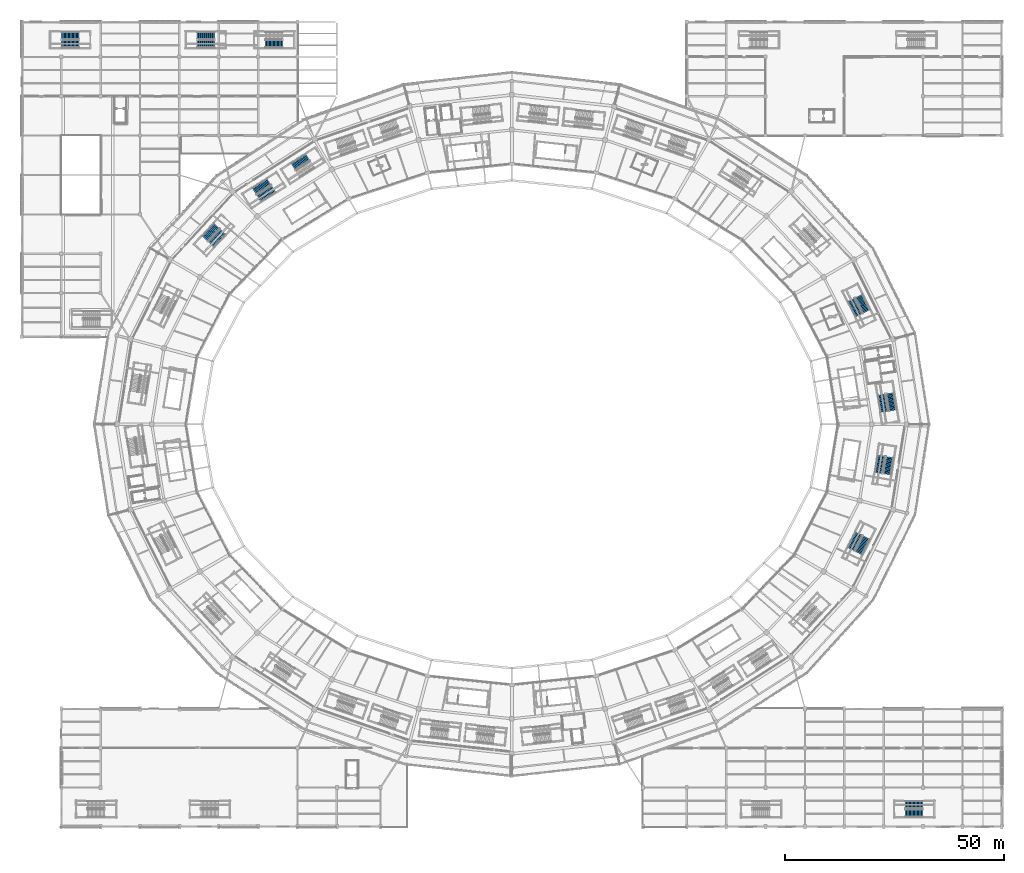
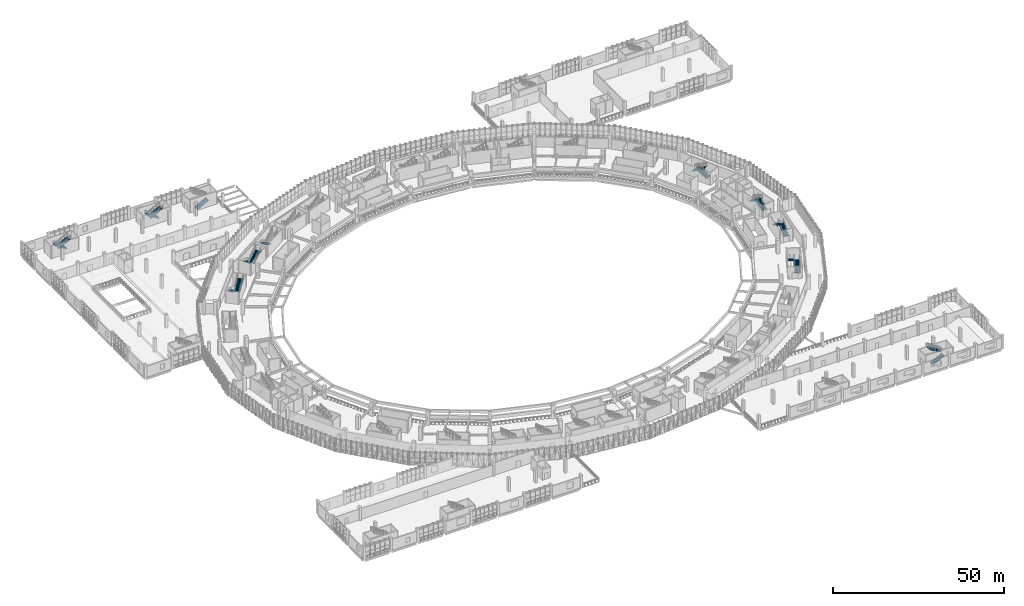
# One storey, part 116 of 179: 20 stair flights, 11 elements without a shape of their own.
"""IFC4 building model written with IfcOpenShell, lengths in metres."""

from ifc_helpers import new_model, si_unit, direction, frame, origin, place, context, subcontext, project, spatial, polyline, outline, extrude, material, type_object, element, aggregate, save


model = new_model("IFC4")

# Units and contexts
model_context = context("Model", 3, precision=1e-05, world=origin(), true_north=direction((0.0, 1.0)))
body_context = subcontext(model_context, "Body", "Model", "MODEL_VIEW")
ifc_project = project(units=[si_unit("LENGTHUNIT", "METRE"), si_unit("AREAUNIT", "SQUARE_METRE"), si_unit("VOLUMEUNIT", "CUBIC_METRE"), si_unit("PLANEANGLEUNIT", "RADIAN"), si_unit("MASSUNIT", "GRAM", prefix="KILO")], contexts=[model_context])

# Site, building, storey
site_placement = place(None, origin())
site = spatial("IfcSite", under=ifc_project, at=site_placement, CompositionType="ELEMENT")
building_placement = place(site_placement, origin())
building = spatial("IfcBuilding", under=site, at=building_placement, Name="Zevraka Park Crest Stadium", CompositionType="ELEMENT")
storey_placement = place(building_placement, frame((0.0, 0.0, 10.199951171875)))
storey = spatial("IfcBuildingStorey", under=building, at=storey_placement, Name="L02", CompositionType="ELEMENT", Elevation=10.199951171875)

# Stair, stair flights
ifc_material_1 = material(Name="Concrete C35/45", Category="concrete")
stair_type_1 = type_object("IfcStairType", Name="STA2", PredefinedType="HALF_TURN_STAIR", material=ifc_material_1)
stair_1_placement = place(storey_placement, origin())
stair_1 = element("IfcStair", 1, at=stair_1_placement, inside=storey, type_object=stair_type_1, Name="L02 Protected Concourse Exit Stair ST01", PredefinedType="HALF_TURN_STAIR")
ifc_material_2 = material(Name="Concrete C35/45", Category="concrete")
stair_flight_type_1 = type_object("IfcStairFlightType", Name="FLA2", PredefinedType="STRAIGHT", material=ifc_material_2)
stair_flight_1_placement = place(storey_placement, frame((199.0859375, 95.17333984375, 0.0), z_axis=(0.0, 0.0, 1.0), x_axis=(-0.157261853897, 0.987556939781, 0.0)))
stair_flight_1 = element("IfcStairFlight", 2, at=stair_flight_1_placement, type_object=stair_flight_type_1, Name="ST01 flight 1", NumberOfRisers=14, NumberOfTreads=13, PredefinedType="STRAIGHT", RiserHeight=0.171428571, TreadLength=0.305, context=body_context, shape_type="SweptSolid", body=[
    extrude(outline(polyline([(0.0, 0.0), (0.0, 0.17138671875), (0.304931640625, 0.17138671875), (0.304931640625, 0.3427734375), (0.610107421875, 0.3427734375), (0.610107421875, 0.514404296875), (0.9150390625, 0.514404296875), (0.9150390625, 0.685791015625), (1.219970703125, 0.685791015625), (1.219970703125, 0.857177734375), (1.52490234375, 0.857177734375), (1.52490234375, 1.028564453125), (1.830078125, 1.028564453125), (1.830078125, 1.199951171875), (2.135009765625, 1.199951171875), (2.135009765625, 1.371337890625), (2.43994140625, 1.371337890625), (2.43994140625, 1.54296875), (2.7451171875, 1.54296875), (2.7451171875, 1.71435546875), (3.050048828125, 1.71435546875), (3.050048828125, 1.8857421875), (3.35498046875, 1.8857421875), (3.35498046875, 2.05712890625), (3.659912109375, 2.05712890625), (3.659912109375, 2.228515625), (3.965087890625, 2.228515625), (3.965087890625, 2.39990234375), (3.965087890625, 2.045166015625), (0.326416015625, 0.0), (0.0, 0.0)])), frame((0.0, 0.89990234375, 0.0), z_axis=(0.0, -1.0, 0.0), x_axis=(1.0, 0.0, 0.0)), (0.0, 0.0, 1.0), 1.800048828125),
])
stair_flight_2_placement = place(storey_placement, frame((196.52685546875, 98.78076171875, 2.400146484375), z_axis=(0.0, 0.0, 1.0), x_axis=(0.157261853897, -0.987556939781, 0.0)))
stair_flight_2 = element("IfcStairFlight", 3, at=stair_flight_2_placement, type_object=stair_flight_type_1, Name="ST01 flight 2", NumberOfRisers=14, NumberOfTreads=13, PredefinedType="STRAIGHT", RiserHeight=0.171428571, TreadLength=0.305, context=body_context, shape_type="SweptSolid", body=[
    extrude(outline(polyline([(0.0, 0.0), (0.0, 0.17138671875), (0.304931640625, 0.17138671875), (0.304931640625, 0.3427734375), (0.610107421875, 0.3427734375), (0.610107421875, 0.514404296875), (0.9150390625, 0.514404296875), (0.9150390625, 0.685791015625), (1.219970703125, 0.685791015625), (1.219970703125, 0.857177734375), (1.52490234375, 0.857177734375), (1.52490234375, 1.028564453125), (1.830078125, 1.028564453125), (1.830078125, 1.199951171875), (2.135009765625, 1.199951171875), (2.135009765625, 1.371337890625), (2.43994140625, 1.371337890625), (2.43994140625, 1.54296875), (2.7451171875, 1.54296875), (2.7451171875, 1.71435546875), (3.050048828125, 1.71435546875), (3.050048828125, 1.8857421875), (3.35498046875, 1.8857421875), (3.35498046875, 2.05712890625), (3.659912109375, 2.05712890625), (3.659912109375, 2.228515625), (3.965087890625, 2.228515625), (3.965087890625, 2.39990234375), (3.965087890625, 2.045166015625), (0.326416015625, 0.0), (0.0, 0.0)])), frame((0.0, 0.89990234375, 0.0), z_axis=(0.0, -1.0, 0.0), x_axis=(1.0, 0.0, 0.0)), (0.0, 0.0, 1.0), 1.800048828125),
])
aggregate(stair_1, [stair_flight_1, stair_flight_2])

stair_2_placement = place(storey_placement, origin())
stair_2 = element("IfcStair", 4, at=stair_2_placement, inside=storey, type_object=stair_type_1, Name="L02 Protected Concourse Exit Stair ST02", PredefinedType="HALF_TURN_STAIR")
stair_flight_3_placement = place(storey_placement, frame((193.1064453125, 117.7939453125, 0.0), z_axis=(0.0, 0.0, 1.0), x_axis=(-0.447915140373, 0.894076074518, 0.0)))
stair_flight_3 = element("IfcStairFlight", 5, at=stair_flight_3_placement, type_object=stair_flight_type_1, Name="ST02 flight 1", NumberOfRisers=14, NumberOfTreads=13, PredefinedType="STRAIGHT", RiserHeight=0.171428571, TreadLength=0.305, context=body_context, shape_type="SweptSolid", body=[
    extrude(outline(polyline([(0.0, 0.0), (0.0, 0.17138671875), (0.304931640625, 0.17138671875), (0.304931640625, 0.3427734375), (0.610107421875, 0.3427734375), (0.610107421875, 0.514404296875), (0.9150390625, 0.514404296875), (0.9150390625, 0.685791015625), (1.219970703125, 0.685791015625), (1.219970703125, 0.857177734375), (1.52490234375, 0.857177734375), (1.52490234375, 1.028564453125), (1.830078125, 1.028564453125), (1.830078125, 1.199951171875), (2.135009765625, 1.199951171875), (2.135009765625, 1.371337890625), (2.43994140625, 1.371337890625), (2.43994140625, 1.54296875), (2.7451171875, 1.54296875), (2.7451171875, 1.71435546875), (3.050048828125, 1.71435546875), (3.050048828125, 1.8857421875), (3.35498046875, 1.8857421875), (3.35498046875, 2.05712890625), (3.659912109375, 2.05712890625), (3.659912109375, 2.228515625), (3.965087890625, 2.228515625), (3.965087890625, 2.39990234375), (3.965087890625, 2.045166015625), (0.326416015625, 0.0), (0.0, 0.0)])), frame((0.0, 0.89990234375, 0.0), z_axis=(0.0, -1.0, 0.0), x_axis=(1.0, 0.0, 0.0)), (0.0, 0.0, 1.0), 1.800048828125),
])
stair_flight_4_placement = place(storey_placement, frame((189.578125, 120.461181640625, 2.400146484375), z_axis=(0.0, 0.0, 1.0), x_axis=(0.447915140373, -0.894076074518, 0.0)))
stair_flight_4 = element("IfcStairFlight", 6, at=stair_flight_4_placement, type_object=stair_flight_type_1, Name="ST02 flight 2", NumberOfRisers=14, NumberOfTreads=13, PredefinedType="STRAIGHT", RiserHeight=0.171428571, TreadLength=0.305, context=body_context, shape_type="SweptSolid", body=[
    extrude(outline(polyline([(0.0, 0.0), (0.0, 0.17138671875), (0.304931640625, 0.17138671875), (0.304931640625, 0.3427734375), (0.610107421875, 0.3427734375), (0.610107421875, 0.514404296875), (0.9150390625, 0.514404296875), (0.9150390625, 0.685791015625), (1.219970703125, 0.685791015625), (1.219970703125, 0.857177734375), (1.52490234375, 0.857177734375), (1.52490234375, 1.028564453125), (1.830078125, 1.028564453125), (1.830078125, 1.199951171875), (2.135009765625, 1.199951171875), (2.135009765625, 1.371337890625), (2.43994140625, 1.371337890625), (2.43994140625, 1.54296875), (2.7451171875, 1.54296875), (2.7451171875, 1.71435546875), (3.050048828125, 1.71435546875), (3.050048828125, 1.8857421875), (3.35498046875, 1.8857421875), (3.35498046875, 2.05712890625), (3.659912109375, 2.05712890625), (3.659912109375, 2.228515625), (3.965087890625, 2.228515625), (3.965087890625, 2.39990234375), (3.965087890625, 2.045166015625), (0.326416015625, 0.0), (0.0, 0.0)])), frame((0.0, 0.89990234375, 0.0), z_axis=(0.0, -1.0, 0.0), x_axis=(1.0, 0.0, 0.0)), (0.0, 0.0, 1.0), 1.800048828125),
])
aggregate(stair_2, [stair_flight_3, stair_flight_4])

# Stair, stair flight
stair_3_placement = place(storey_placement, origin())
stair_3 = element("IfcStair", 7, at=stair_3_placement, inside=storey, type_object=stair_type_1, Name="L02 Protected Concourse Exit Stair ST09", PredefinedType="HALF_TURN_STAIR")
stair_flight_5_placement = place(storey_placement, frame((65.35009765625, 153.042724609375, 0.0), z_axis=(0.0, 0.0, 1.0), x_axis=(-0.844397122829, -0.535717741874, 0.0)))
stair_flight_5 = element("IfcStairFlight", 8, at=stair_flight_5_placement, type_object=stair_flight_type_1, Name="ST09 flight 1", NumberOfRisers=14, NumberOfTreads=13, PredefinedType="STRAIGHT", RiserHeight=0.171428571, TreadLength=0.305, context=body_context, shape_type="SweptSolid", body=[
    extrude(outline(polyline([(0.0, 0.0), (0.0, 0.17138671875), (0.304931640625, 0.17138671875), (0.304931640625, 0.3427734375), (0.610107421875, 0.3427734375), (0.610107421875, 0.514404296875), (0.9150390625, 0.514404296875), (0.9150390625, 0.685791015625), (1.219970703125, 0.685791015625), (1.219970703125, 0.857177734375), (1.52490234375, 0.857177734375), (1.52490234375, 1.028564453125), (1.830078125, 1.028564453125), (1.830078125, 1.199951171875), (2.135009765625, 1.199951171875), (2.135009765625, 1.371337890625), (2.43994140625, 1.371337890625), (2.43994140625, 1.54296875), (2.7451171875, 1.54296875), (2.7451171875, 1.71435546875), (3.050048828125, 1.71435546875), (3.050048828125, 1.8857421875), (3.35498046875, 1.8857421875), (3.35498046875, 2.05712890625), (3.659912109375, 2.05712890625), (3.659912109375, 2.228515625), (3.965087890625, 2.228515625), (3.965087890625, 2.39990234375), (3.965087890625, 2.045166015625), (0.326416015625, 0.0), (0.0, 0.0)])), frame((0.0, 0.89990234375, 0.0), z_axis=(0.0, -1.0, 0.0), x_axis=(1.0, 0.0, 0.0)), (0.0, 0.0, 1.0), 1.800048828125),
])
aggregate(stair_3, [stair_flight_5])

# Stair, stair flights
stair_4_placement = place(storey_placement, origin())
stair_4 = element("IfcStair", 9, at=stair_4_placement, inside=storey, type_object=stair_type_1, Name="L02 Protected Concourse Exit Stair ST10", PredefinedType="HALF_TURN_STAIR")
stair_flight_6_placement = place(storey_placement, frame((44.5419921875, 137.365234375, 0.0), z_axis=(0.0, 0.0, 1.0), x_axis=(-0.680255347227, -0.732975212793, 0.0)))
stair_flight_6 = element("IfcStairFlight", 10, at=stair_flight_6_placement, type_object=stair_flight_type_1, Name="ST10 flight 1", NumberOfRisers=14, NumberOfTreads=13, PredefinedType="STRAIGHT", RiserHeight=0.171428571, TreadLength=0.305, context=body_context, shape_type="SweptSolid", body=[
    extrude(outline(polyline([(0.0, 0.0), (0.0, 0.17138671875), (0.304931640625, 0.17138671875), (0.304931640625, 0.3427734375), (0.610107421875, 0.3427734375), (0.610107421875, 0.514404296875), (0.9150390625, 0.514404296875), (0.9150390625, 0.685791015625), (1.219970703125, 0.685791015625), (1.219970703125, 0.857177734375), (1.52490234375, 0.857177734375), (1.52490234375, 1.028564453125), (1.830078125, 1.028564453125), (1.830078125, 1.199951171875), (2.135009765625, 1.199951171875), (2.135009765625, 1.371337890625), (2.43994140625, 1.371337890625), (2.43994140625, 1.54296875), (2.7451171875, 1.54296875), (2.7451171875, 1.71435546875), (3.050048828125, 1.71435546875), (3.050048828125, 1.8857421875), (3.35498046875, 1.8857421875), (3.35498046875, 2.05712890625), (3.659912109375, 2.05712890625), (3.659912109375, 2.228515625), (3.965087890625, 2.228515625), (3.965087890625, 2.39990234375), (3.965087890625, 2.045166015625), (0.326416015625, 0.0), (0.0, 0.0)])), frame((0.0, 0.89990234375, 0.0), z_axis=(0.0, -1.0, 0.0), x_axis=(1.0, 0.0, 0.0)), (0.0, 0.0, 1.0), 1.800048828125),
])
stair_flight_7_placement = place(storey_placement, frame((43.281494140625, 133.125732421875, 2.400146484375), z_axis=(0.0, 0.0, 1.0), x_axis=(0.680255347227, 0.732975212793, 0.0)))
stair_flight_7 = element("IfcStairFlight", 11, at=stair_flight_7_placement, type_object=stair_flight_type_1, Name="ST10 flight 2", NumberOfRisers=14, NumberOfTreads=13, PredefinedType="STRAIGHT", RiserHeight=0.171428571, TreadLength=0.305, context=body_context, shape_type="SweptSolid", body=[
    extrude(outline(polyline([(0.0, 0.0), (0.0, 0.17138671875), (0.304931640625, 0.17138671875), (0.304931640625, 0.3427734375), (0.610107421875, 0.3427734375), (0.610107421875, 0.514404296875), (0.9150390625, 0.514404296875), (0.9150390625, 0.685791015625), (1.219970703125, 0.685791015625), (1.219970703125, 0.857177734375), (1.52490234375, 0.857177734375), (1.52490234375, 1.028564453125), (1.830078125, 1.028564453125), (1.830078125, 1.199951171875), (2.135009765625, 1.199951171875), (2.135009765625, 1.371337890625), (2.43994140625, 1.371337890625), (2.43994140625, 1.54296875), (2.7451171875, 1.54296875), (2.7451171875, 1.71435546875), (3.050048828125, 1.71435546875), (3.050048828125, 1.8857421875), (3.35498046875, 1.8857421875), (3.35498046875, 2.05712890625), (3.659912109375, 2.05712890625), (3.659912109375, 2.228515625), (3.965087890625, 2.228515625), (3.965087890625, 2.39990234375), (3.965087890625, 2.045166015625), (0.326416015625, 0.0), (0.0, 0.0)])), frame((0.0, 0.89990234375, 0.0), z_axis=(0.0, -1.0, 0.0), x_axis=(1.0, 0.0, 0.0)), (0.0, 0.0, 1.0), 1.800048828125),
])
aggregate(stair_4, [stair_flight_6, stair_flight_7])

stair_5_placement = place(storey_placement, origin())
stair_5 = element("IfcStair", 12, at=stair_5_placement, inside=storey, type_object=stair_type_1, Name="L02 Protected Concourse Exit Stair ST23", PredefinedType="HALF_TURN_STAIR")
stair_flight_8_placement = place(storey_placement, frame((191.292236328125, 62.584228515625, 0.0), z_axis=(0.0, 0.0, 1.0), x_axis=(0.447915140373, 0.894076074518, 0.0)))
stair_flight_8 = element("IfcStairFlight", 13, at=stair_flight_8_placement, type_object=stair_flight_type_1, Name="ST23 flight 1", NumberOfRisers=14, NumberOfTreads=13, PredefinedType="STRAIGHT", RiserHeight=0.171428571, TreadLength=0.305, context=body_context, shape_type="SweptSolid", body=[
    extrude(outline(polyline([(0.0, 0.0), (0.0, 0.17138671875), (0.304931640625, 0.17138671875), (0.304931640625, 0.3427734375), (0.610107421875, 0.3427734375), (0.610107421875, 0.514404296875), (0.9150390625, 0.514404296875), (0.9150390625, 0.685791015625), (1.219970703125, 0.685791015625), (1.219970703125, 0.857177734375), (1.52490234375, 0.857177734375), (1.52490234375, 1.028564453125), (1.830078125, 1.028564453125), (1.830078125, 1.199951171875), (2.135009765625, 1.199951171875), (2.135009765625, 1.371337890625), (2.43994140625, 1.371337890625), (2.43994140625, 1.54296875), (2.7451171875, 1.54296875), (2.7451171875, 1.71435546875), (3.050048828125, 1.71435546875), (3.050048828125, 1.8857421875), (3.35498046875, 1.8857421875), (3.35498046875, 2.05712890625), (3.659912109375, 2.05712890625), (3.659912109375, 2.228515625), (3.965087890625, 2.228515625), (3.965087890625, 2.39990234375), (3.965087890625, 2.045166015625), (0.326416015625, 0.0), (0.0, 0.0)])), frame((0.0, 0.89990234375, 0.0), z_axis=(0.0, -1.0, 0.0), x_axis=(1.0, 0.0, 0.0)), (0.0, 0.0, 1.0), 1.800048828125),
])
stair_flight_9_placement = place(storey_placement, frame((191.315673828125, 67.00732421875, 2.400146484375), z_axis=(0.0, 0.0, 1.0), x_axis=(-0.447915140373, -0.894076074518, 0.0)))
stair_flight_9 = element("IfcStairFlight", 14, at=stair_flight_9_placement, type_object=stair_flight_type_1, Name="ST23 flight 2", NumberOfRisers=14, NumberOfTreads=13, PredefinedType="STRAIGHT", RiserHeight=0.171428571, TreadLength=0.305, context=body_context, shape_type="SweptSolid", body=[
    extrude(outline(polyline([(0.0, 0.0), (0.0, 0.17138671875), (0.304931640625, 0.17138671875), (0.304931640625, 0.3427734375), (0.610107421875, 0.3427734375), (0.610107421875, 0.514404296875), (0.9150390625, 0.514404296875), (0.9150390625, 0.685791015625), (1.219970703125, 0.685791015625), (1.219970703125, 0.857177734375), (1.52490234375, 0.857177734375), (1.52490234375, 1.028564453125), (1.830078125, 1.028564453125), (1.830078125, 1.199951171875), (2.135009765625, 1.199951171875), (2.135009765625, 1.371337890625), (2.43994140625, 1.371337890625), (2.43994140625, 1.54296875), (2.7451171875, 1.54296875), (2.7451171875, 1.71435546875), (3.050048828125, 1.71435546875), (3.050048828125, 1.8857421875), (3.35498046875, 1.8857421875), (3.35498046875, 2.05712890625), (3.659912109375, 2.05712890625), (3.659912109375, 2.228515625), (3.965087890625, 2.228515625), (3.965087890625, 2.39990234375), (3.965087890625, 2.045166015625), (0.326416015625, 0.0), (0.0, 0.0)])), frame((0.0, 0.89990234375, 0.0), z_axis=(0.0, -1.0, 0.0), x_axis=(1.0, 0.0, 0.0)), (0.0, 0.0, 1.0), 1.800048828125),
])
aggregate(stair_5, [stair_flight_8, stair_flight_9])

stair_6_placement = place(storey_placement, origin())
stair_6 = element("IfcStair", 15, at=stair_6_placement, inside=storey, type_object=stair_type_1, Name="L02 Protected Concourse Exit Stair ST24", PredefinedType="HALF_TURN_STAIR")
stair_flight_10_placement = place(storey_placement, frame((197.7734375, 80.580322265625, 0.0), z_axis=(0.0, 0.0, 1.0), x_axis=(0.157261853897, 0.987556939781, 0.0)))
stair_flight_10 = element("IfcStairFlight", 16, at=stair_flight_10_placement, type_object=stair_flight_type_1, Name="ST24 flight 1", NumberOfRisers=14, NumberOfTreads=13, PredefinedType="STRAIGHT", RiserHeight=0.171428571, TreadLength=0.305, context=body_context, shape_type="SweptSolid", body=[
    extrude(outline(polyline([(0.0, 0.0), (0.0, 0.17138671875), (0.304931640625, 0.17138671875), (0.304931640625, 0.3427734375), (0.610107421875, 0.3427734375), (0.610107421875, 0.514404296875), (0.9150390625, 0.514404296875), (0.9150390625, 0.685791015625), (1.219970703125, 0.685791015625), (1.219970703125, 0.857177734375), (1.52490234375, 0.857177734375), (1.52490234375, 1.028564453125), (1.830078125, 1.028564453125), (1.830078125, 1.199951171875), (2.135009765625, 1.199951171875), (2.135009765625, 1.371337890625), (2.43994140625, 1.371337890625), (2.43994140625, 1.54296875), (2.7451171875, 1.54296875), (2.7451171875, 1.71435546875), (3.050048828125, 1.71435546875), (3.050048828125, 1.8857421875), (3.35498046875, 1.8857421875), (3.35498046875, 2.05712890625), (3.659912109375, 2.05712890625), (3.659912109375, 2.228515625), (3.965087890625, 2.228515625), (3.965087890625, 2.39990234375), (3.965087890625, 2.045166015625), (0.326416015625, 0.0), (0.0, 0.0)])), frame((0.0, 0.89990234375, 0.0), z_axis=(0.0, -1.0, 0.0), x_axis=(1.0, 0.0, 0.0)), (0.0, 0.0, 1.0), 1.800048828125),
])
stair_flight_11_placement = place(storey_placement, frame((196.461181640625, 84.804443359375, 2.400146484375), z_axis=(0.0, 0.0, 1.0), x_axis=(-0.157261853897, -0.987556939781, 0.0)))
stair_flight_11 = element("IfcStairFlight", 17, at=stair_flight_11_placement, type_object=stair_flight_type_1, Name="ST24 flight 2", NumberOfRisers=14, NumberOfTreads=13, PredefinedType="STRAIGHT", RiserHeight=0.171428571, TreadLength=0.305, context=body_context, shape_type="SweptSolid", body=[
    extrude(outline(polyline([(0.0, 0.0), (0.0, 0.17138671875), (0.304931640625, 0.17138671875), (0.304931640625, 0.3427734375), (0.610107421875, 0.3427734375), (0.610107421875, 0.514404296875), (0.9150390625, 0.514404296875), (0.9150390625, 0.685791015625), (1.219970703125, 0.685791015625), (1.219970703125, 0.857177734375), (1.52490234375, 0.857177734375), (1.52490234375, 1.028564453125), (1.830078125, 1.028564453125), (1.830078125, 1.199951171875), (2.135009765625, 1.199951171875), (2.135009765625, 1.371337890625), (2.43994140625, 1.371337890625), (2.43994140625, 1.54296875), (2.7451171875, 1.54296875), (2.7451171875, 1.71435546875), (3.050048828125, 1.71435546875), (3.050048828125, 1.8857421875), (3.35498046875, 1.8857421875), (3.35498046875, 2.05712890625), (3.659912109375, 2.05712890625), (3.659912109375, 2.228515625), (3.965087890625, 2.228515625), (3.965087890625, 2.39990234375), (3.965087890625, 2.045166015625), (0.326416015625, 0.0), (0.0, 0.0)])), frame((0.0, 0.89990234375, 0.0), z_axis=(0.0, -1.0, 0.0), x_axis=(1.0, 0.0, 0.0)), (0.0, 0.0, 1.0), 1.800048828125),
])
aggregate(stair_6, [stair_flight_10, stair_flight_11])

stair_7_placement = place(storey_placement, origin())
stair_7 = element("IfcStair", 18, at=stair_7_placement, inside=storey, type_object=stair_type_1, Name="L02 Protected Paired Concourse Exit Stair ST28", PredefinedType="HALF_TURN_STAIR")
stair_flight_12_placement = place(storey_placement, frame((56.484130859375, 147.417724609375, 0.0), z_axis=(0.0, 0.0, 1.0), x_axis=(-0.844397122829, -0.535717741874, 0.0)))
stair_flight_12 = element("IfcStairFlight", 19, at=stair_flight_12_placement, type_object=stair_flight_type_1, Name="ST28 flight 1", NumberOfRisers=14, NumberOfTreads=13, PredefinedType="STRAIGHT", RiserHeight=0.171428571, TreadLength=0.305, context=body_context, shape_type="SweptSolid", body=[
    extrude(outline(polyline([(0.0, 0.0), (0.0, 0.17138671875), (0.304931640625, 0.17138671875), (0.304931640625, 0.3427734375), (0.610107421875, 0.3427734375), (0.610107421875, 0.514404296875), (0.9150390625, 0.514404296875), (0.9150390625, 0.685791015625), (1.219970703125, 0.685791015625), (1.219970703125, 0.857177734375), (1.52490234375, 0.857177734375), (1.52490234375, 1.028564453125), (1.830078125, 1.028564453125), (1.830078125, 1.199951171875), (2.135009765625, 1.199951171875), (2.135009765625, 1.371337890625), (2.43994140625, 1.371337890625), (2.43994140625, 1.54296875), (2.7451171875, 1.54296875), (2.7451171875, 1.71435546875), (3.050048828125, 1.71435546875), (3.050048828125, 1.8857421875), (3.35498046875, 1.8857421875), (3.35498046875, 2.05712890625), (3.659912109375, 2.05712890625), (3.659912109375, 2.228515625), (3.965087890625, 2.228515625), (3.965087890625, 2.39990234375), (3.965087890625, 2.045166015625), (0.326416015625, 0.0), (0.0, 0.0)])), frame((0.0, 0.89990234375, 0.0), z_axis=(0.0, -1.0, 0.0), x_axis=(1.0, 0.0, 0.0)), (0.0, 0.0, 1.0), 1.800048828125),
])
stair_flight_13_placement = place(storey_placement, frame((54.18603515625, 143.638671875, 2.400146484375), z_axis=(0.0, 0.0, 1.0), x_axis=(0.844397122829, 0.535717741874, 0.0)))
stair_flight_13 = element("IfcStairFlight", 20, at=stair_flight_13_placement, type_object=stair_flight_type_1, Name="ST28 flight 2", NumberOfRisers=14, NumberOfTreads=13, PredefinedType="STRAIGHT", RiserHeight=0.171428571, TreadLength=0.305, context=body_context, shape_type="SweptSolid", body=[
    extrude(outline(polyline([(0.0, 0.0), (0.0, 0.17138671875), (0.304931640625, 0.17138671875), (0.304931640625, 0.3427734375), (0.610107421875, 0.3427734375), (0.610107421875, 0.514404296875), (0.9150390625, 0.514404296875), (0.9150390625, 0.685791015625), (1.219970703125, 0.685791015625), (1.219970703125, 0.857177734375), (1.52490234375, 0.857177734375), (1.52490234375, 1.028564453125), (1.830078125, 1.028564453125), (1.830078125, 1.199951171875), (2.135009765625, 1.199951171875), (2.135009765625, 1.371337890625), (2.43994140625, 1.371337890625), (2.43994140625, 1.54296875), (2.7451171875, 1.54296875), (2.7451171875, 1.71435546875), (3.050048828125, 1.71435546875), (3.050048828125, 1.8857421875), (3.35498046875, 1.8857421875), (3.35498046875, 2.05712890625), (3.659912109375, 2.05712890625), (3.659912109375, 2.228515625), (3.965087890625, 2.228515625), (3.965087890625, 2.39990234375), (3.965087890625, 2.045166015625), (0.326416015625, 0.0), (0.0, 0.0)])), frame((0.0, 0.89990234375, 0.0), z_axis=(0.0, -1.0, 0.0), x_axis=(1.0, 0.0, 0.0)), (0.0, 0.0, 1.0), 1.800048828125),
])
aggregate(stair_7, [stair_flight_12, stair_flight_13])

ifc_material_3 = material(Name="Concrete C35/45", Category="concrete")
stair_type_2 = type_object("IfcStairType", Name="STC2", PredefinedType="HALF_TURN_STAIR", material=ifc_material_3)
stair_8_placement = place(storey_placement, origin())
stair_8 = element("IfcStair", 21, at=stair_8_placement, inside=storey, type_object=stair_type_2, Name="L02 NW Veranda Wing North-West Stair ST47", PredefinedType="HALF_TURN_STAIR")
ifc_material_4 = material(Name="Concrete C35/45", Category="concrete")
stair_flight_type_2 = type_object("IfcStairFlightType", Name="FLC2", PredefinedType="STRAIGHT", material=ifc_material_4)
stair_flight_14_placement = place(storey_placement, frame((13.050048828125, 180.875, 0.0), z_axis=(0.0, 0.0, 1.0), x_axis=(-1.0, 0.0, 0.0)))
stair_flight_14 = element("IfcStairFlight", 22, at=stair_flight_14_placement, type_object=stair_flight_type_2, Name="ST47 flight 1", NumberOfRisers=14, NumberOfTreads=13, PredefinedType="STRAIGHT", RiserHeight=0.171428571, TreadLength=0.305, context=body_context, shape_type="SweptSolid", body=[
    extrude(outline(polyline([(0.0, 0.0), (0.0, 0.17138671875), (0.304931640625, 0.17138671875), (0.304931640625, 0.3427734375), (0.610107421875, 0.3427734375), (0.610107421875, 0.514404296875), (0.9150390625, 0.514404296875), (0.9150390625, 0.685791015625), (1.219970703125, 0.685791015625), (1.219970703125, 0.857177734375), (1.52490234375, 0.857177734375), (1.52490234375, 1.028564453125), (1.830078125, 1.028564453125), (1.830078125, 1.199951171875), (2.135009765625, 1.199951171875), (2.135009765625, 1.371337890625), (2.43994140625, 1.371337890625), (2.43994140625, 1.54296875), (2.7451171875, 1.54296875), (2.7451171875, 1.71435546875), (3.050048828125, 1.71435546875), (3.050048828125, 1.8857421875), (3.35498046875, 1.8857421875), (3.35498046875, 2.05712890625), (3.659912109375, 2.05712890625), (3.659912109375, 2.228515625), (3.965087890625, 2.228515625), (3.965087890625, 2.39990234375), (3.965087890625, 2.045166015625), (0.326416015625, 0.0), (0.0, 0.0)])), frame((0.0, 0.875, 0.0), z_axis=(0.0, -1.0, 0.0), x_axis=(1.0, 0.0, 0.0)), (0.0, 0.0, 1.0), 1.75),
])
stair_flight_15_placement = place(storey_placement, frame((9.0849609375, 178.965087890625, 2.400146484375), z_axis=(0.0, 0.0, 1.0), x_axis=(1.0, 0.0, 0.0)))
stair_flight_15 = element("IfcStairFlight", 23, at=stair_flight_15_placement, type_object=stair_flight_type_2, Name="ST47 flight 2", NumberOfRisers=14, NumberOfTreads=13, PredefinedType="STRAIGHT", RiserHeight=0.171428571, TreadLength=0.305, context=body_context, shape_type="SweptSolid", body=[
    extrude(outline(polyline([(0.0, 0.0), (0.0, 0.17138671875), (0.304931640625, 0.17138671875), (0.304931640625, 0.3427734375), (0.610107421875, 0.3427734375), (0.610107421875, 0.514404296875), (0.9150390625, 0.514404296875), (0.9150390625, 0.685791015625), (1.219970703125, 0.685791015625), (1.219970703125, 0.857177734375), (1.52490234375, 0.857177734375), (1.52490234375, 1.028564453125), (1.830078125, 1.028564453125), (1.830078125, 1.199951171875), (2.135009765625, 1.199951171875), (2.135009765625, 1.371337890625), (2.43994140625, 1.371337890625), (2.43994140625, 1.54296875), (2.7451171875, 1.54296875), (2.7451171875, 1.71435546875), (3.050048828125, 1.71435546875), (3.050048828125, 1.8857421875), (3.35498046875, 1.8857421875), (3.35498046875, 2.05712890625), (3.659912109375, 2.05712890625), (3.659912109375, 2.228515625), (3.965087890625, 2.228515625), (3.965087890625, 2.39990234375), (3.965087890625, 2.045166015625), (0.326416015625, 0.0), (0.0, 0.0)])), frame((0.0, 0.875, 0.0), z_axis=(0.0, -1.0, 0.0), x_axis=(1.0, 0.0, 0.0)), (0.0, 0.0, 1.0), 1.75),
])
aggregate(stair_8, [stair_flight_14, stair_flight_15])

stair_9_placement = place(storey_placement, origin())
stair_9 = element("IfcStair", 24, at=stair_9_placement, inside=storey, type_object=stair_type_2, Name="L02 Garden Court Arcade West Stair ST49", PredefinedType="HALF_TURN_STAIR")
stair_flight_16_placement = place(storey_placement, frame((44.050048828125, 180.875, 0.0), z_axis=(0.0, 0.0, 1.0), x_axis=(-1.0, 0.0, 0.0)))
stair_flight_16 = element("IfcStairFlight", 25, at=stair_flight_16_placement, type_object=stair_flight_type_2, Name="ST49 flight 1", NumberOfRisers=14, NumberOfTreads=13, PredefinedType="STRAIGHT", RiserHeight=0.171428571, TreadLength=0.305, context=body_context, shape_type="SweptSolid", body=[
    extrude(outline(polyline([(0.0, 0.0), (0.0, 0.17138671875), (0.304931640625, 0.17138671875), (0.304931640625, 0.3427734375), (0.610107421875, 0.3427734375), (0.610107421875, 0.514404296875), (0.9150390625, 0.514404296875), (0.9150390625, 0.685791015625), (1.219970703125, 0.685791015625), (1.219970703125, 0.857177734375), (1.52490234375, 0.857177734375), (1.52490234375, 1.028564453125), (1.830078125, 1.028564453125), (1.830078125, 1.199951171875), (2.135009765625, 1.199951171875), (2.135009765625, 1.371337890625), (2.43994140625, 1.371337890625), (2.43994140625, 1.54296875), (2.7451171875, 1.54296875), (2.7451171875, 1.71435546875), (3.050048828125, 1.71435546875), (3.050048828125, 1.8857421875), (3.35498046875, 1.8857421875), (3.35498046875, 2.05712890625), (3.659912109375, 2.05712890625), (3.659912109375, 2.228515625), (3.965087890625, 2.228515625), (3.965087890625, 2.39990234375), (3.965087890625, 2.045166015625), (0.326416015625, 0.0), (0.0, 0.0)])), frame((0.0, 0.875, 0.0), z_axis=(0.0, -1.0, 0.0), x_axis=(1.0, 0.0, 0.0)), (0.0, 0.0, 1.0), 1.75),
])
stair_flight_17_placement = place(storey_placement, frame((40.0849609375, 178.965087890625, 2.400146484375), z_axis=(0.0, 0.0, 1.0), x_axis=(1.0, 0.0, 0.0)))
stair_flight_17 = element("IfcStairFlight", 26, at=stair_flight_17_placement, type_object=stair_flight_type_2, Name="ST49 flight 2", NumberOfRisers=14, NumberOfTreads=13, PredefinedType="STRAIGHT", RiserHeight=0.171428571, TreadLength=0.305, context=body_context, shape_type="SweptSolid", body=[
    extrude(outline(polyline([(0.0, 0.0), (0.0, 0.17138671875), (0.304931640625, 0.17138671875), (0.304931640625, 0.3427734375), (0.610107421875, 0.3427734375), (0.610107421875, 0.514404296875), (0.9150390625, 0.514404296875), (0.9150390625, 0.685791015625), (1.219970703125, 0.685791015625), (1.219970703125, 0.857177734375), (1.52490234375, 0.857177734375), (1.52490234375, 1.028564453125), (1.830078125, 1.028564453125), (1.830078125, 1.199951171875), (2.135009765625, 1.199951171875), (2.135009765625, 1.371337890625), (2.43994140625, 1.371337890625), (2.43994140625, 1.54296875), (2.7451171875, 1.54296875), (2.7451171875, 1.71435546875), (3.050048828125, 1.71435546875), (3.050048828125, 1.8857421875), (3.35498046875, 1.8857421875), (3.35498046875, 2.05712890625), (3.659912109375, 2.05712890625), (3.659912109375, 2.228515625), (3.965087890625, 2.228515625), (3.965087890625, 2.39990234375), (3.965087890625, 2.045166015625), (0.326416015625, 0.0), (0.0, 0.0)])), frame((0.0, 0.875, 0.0), z_axis=(0.0, -1.0, 0.0), x_axis=(1.0, 0.0, 0.0)), (0.0, 0.0, 1.0), 1.75),
])
aggregate(stair_9, [stair_flight_16, stair_flight_17])

# Stair, stair flight
stair_10_placement = place(storey_placement, origin())
stair_10 = element("IfcStair", 27, at=stair_10_placement, inside=storey, type_object=stair_type_2, Name="L02 Garden Court Arcade East Stair ST50", PredefinedType="HALF_TURN_STAIR")
stair_flight_18_placement = place(storey_placement, frame((55.64990234375, 178.965087890625, 0.0), z_axis=(0.0, 0.0, 1.0), x_axis=(1.0, 0.0, 0.0)))
stair_flight_18 = element("IfcStairFlight", 28, at=stair_flight_18_placement, type_object=stair_flight_type_2, Name="ST50 flight 1", NumberOfRisers=14, NumberOfTreads=13, PredefinedType="STRAIGHT", RiserHeight=0.171428571, TreadLength=0.305, context=body_context, shape_type="SweptSolid", body=[
    extrude(outline(polyline([(0.0, 0.0), (0.0, 0.17138671875), (0.304931640625, 0.17138671875), (0.304931640625, 0.3427734375), (0.610107421875, 0.3427734375), (0.610107421875, 0.514404296875), (0.9150390625, 0.514404296875), (0.9150390625, 0.685791015625), (1.219970703125, 0.685791015625), (1.219970703125, 0.857177734375), (1.52490234375, 0.857177734375), (1.52490234375, 1.028564453125), (1.830078125, 1.028564453125), (1.830078125, 1.199951171875), (2.135009765625, 1.199951171875), (2.135009765625, 1.371337890625), (2.43994140625, 1.371337890625), (2.43994140625, 1.54296875), (2.7451171875, 1.54296875), (2.7451171875, 1.71435546875), (3.050048828125, 1.71435546875), (3.050048828125, 1.8857421875), (3.35498046875, 1.8857421875), (3.35498046875, 2.05712890625), (3.659912109375, 2.05712890625), (3.659912109375, 2.228515625), (3.965087890625, 2.228515625), (3.965087890625, 2.39990234375), (3.965087890625, 2.045166015625), (0.326416015625, 0.0), (0.0, 0.0)])), frame((0.0, 0.875, 0.0), z_axis=(0.0, -1.0, 0.0), x_axis=(1.0, 0.0, 0.0)), (0.0, 0.0, 1.0), 1.75),
])
aggregate(stair_10, [stair_flight_18])

# Stair, stair flights
stair_11_placement = place(storey_placement, origin())
stair_11 = element("IfcStair", 29, at=stair_11_placement, inside=storey, type_object=stair_type_2, Name="L02 Southeast Plant Wing East Stair ST54", PredefinedType="HALF_TURN_STAIR")
stair_flight_19_placement = place(storey_placement, frame((201.949951171875, 3.125, 0.0), z_axis=(0.0, 0.0, 1.0), x_axis=(1.0, 0.0, 0.0)))
stair_flight_19 = element("IfcStairFlight", 30, at=stair_flight_19_placement, type_object=stair_flight_type_2, Name="ST54 flight 1", NumberOfRisers=14, NumberOfTreads=13, PredefinedType="STRAIGHT", RiserHeight=0.171428571, TreadLength=0.305, context=body_context, shape_type="SweptSolid", body=[
    extrude(outline(polyline([(0.0, 0.0), (0.0, 0.17138671875), (0.304931640625, 0.17138671875), (0.304931640625, 0.3427734375), (0.610107421875, 0.3427734375), (0.610107421875, 0.514404296875), (0.9150390625, 0.514404296875), (0.9150390625, 0.685791015625), (1.219970703125, 0.685791015625), (1.219970703125, 0.857177734375), (1.52490234375, 0.857177734375), (1.52490234375, 1.028564453125), (1.830078125, 1.028564453125), (1.830078125, 1.199951171875), (2.135009765625, 1.199951171875), (2.135009765625, 1.371337890625), (2.43994140625, 1.371337890625), (2.43994140625, 1.54296875), (2.7451171875, 1.54296875), (2.7451171875, 1.71435546875), (3.050048828125, 1.71435546875), (3.050048828125, 1.8857421875), (3.35498046875, 1.8857421875), (3.35498046875, 2.05712890625), (3.659912109375, 2.05712890625), (3.659912109375, 2.228515625), (3.965087890625, 2.228515625), (3.965087890625, 2.39990234375), (3.965087890625, 2.045166015625), (0.326416015625, 0.0), (0.0, 0.0)])), frame((0.0, 0.875, 0.0), z_axis=(0.0, -1.0, 0.0), x_axis=(1.0, 0.0, 0.0)), (0.0, 0.0, 1.0), 1.75),
])
stair_flight_20_placement = place(storey_placement, frame((205.9150390625, 5.034912109375, 2.400146484375), z_axis=(0.0, 0.0, 1.0), x_axis=(-1.0, 0.0, 0.0)))
stair_flight_20 = element("IfcStairFlight", 31, at=stair_flight_20_placement, type_object=stair_flight_type_2, Name="ST54 flight 2", NumberOfRisers=14, NumberOfTreads=13, PredefinedType="STRAIGHT", RiserHeight=0.171428571, TreadLength=0.305, context=body_context, shape_type="SweptSolid", body=[
    extrude(outline(polyline([(0.0, 0.0), (0.0, 0.17138671875), (0.304931640625, 0.17138671875), (0.304931640625, 0.3427734375), (0.610107421875, 0.3427734375), (0.610107421875, 0.514404296875), (0.9150390625, 0.514404296875), (0.9150390625, 0.685791015625), (1.219970703125, 0.685791015625), (1.219970703125, 0.857177734375), (1.52490234375, 0.857177734375), (1.52490234375, 1.028564453125), (1.830078125, 1.028564453125), (1.830078125, 1.199951171875), (2.135009765625, 1.199951171875), (2.135009765625, 1.371337890625), (2.43994140625, 1.371337890625), (2.43994140625, 1.54296875), (2.7451171875, 1.54296875), (2.7451171875, 1.71435546875), (3.050048828125, 1.71435546875), (3.050048828125, 1.8857421875), (3.35498046875, 1.8857421875), (3.35498046875, 2.05712890625), (3.659912109375, 2.05712890625), (3.659912109375, 2.228515625), (3.965087890625, 2.228515625), (3.965087890625, 2.39990234375), (3.965087890625, 2.045166015625), (0.326416015625, 0.0), (0.0, 0.0)])), frame((0.0, 0.875, 0.0), z_axis=(0.0, -1.0, 0.0), x_axis=(1.0, 0.0, 0.0)), (0.0, 0.0, 1.0), 1.75),
])
aggregate(stair_11, [stair_flight_19, stair_flight_20])

save(model, "model.ifc")
